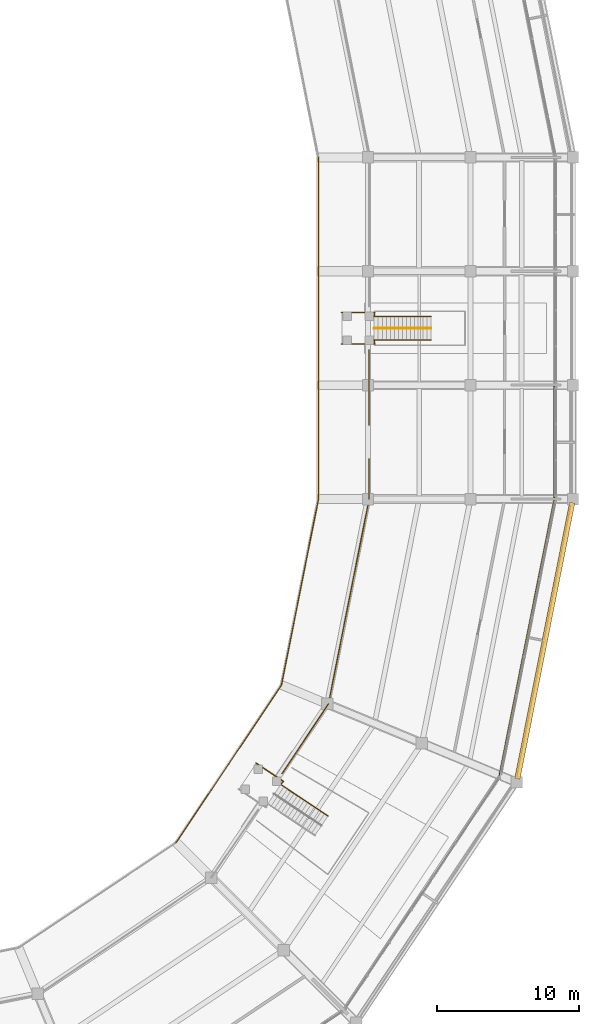
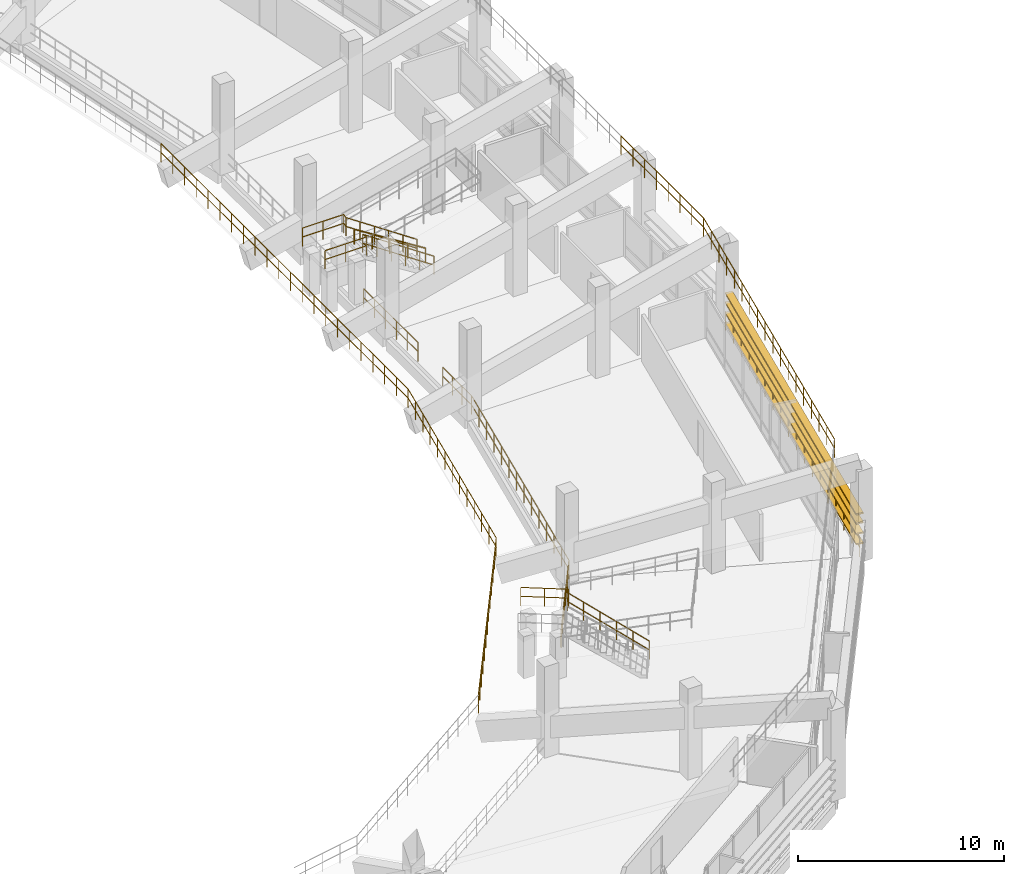
# One storey, part 90 of 96: 16 railings, 4 shading devices.
"""IFC4 building model written with IfcOpenShell, lengths in metres."""

from ifc_helpers import new_model, si_unit, direction, frame, origin, origin_2d, place, context, subcontext, project, spatial, rectangle, circle, extrude, material, layer, layer_set, type_object, element, save


model = new_model("IFC4")

# Units and contexts
model_context = context("Model", 3, precision=1e-05, world=origin(), true_north=direction((0.0, 1.0)))
body_context = subcontext(model_context, "Body", "Model", "MODEL_VIEW")
ifc_project = project(units=[si_unit("LENGTHUNIT", "METRE"), si_unit("AREAUNIT", "SQUARE_METRE"), si_unit("VOLUMEUNIT", "CUBIC_METRE"), si_unit("PLANEANGLEUNIT", "RADIAN"), si_unit("MASSUNIT", "GRAM", prefix="KILO")], contexts=[model_context])

# Site, building, storey
site_placement = place(None, origin())
site = spatial("IfcSite", under=ifc_project, at=site_placement, CompositionType="ELEMENT")
building_placement = place(site_placement, origin())
building = spatial("IfcBuilding", under=site, at=building_placement, Name="Candeia Ridge Stadium", CompositionType="ELEMENT")
storey_placement = place(building_placement, frame((0.0, 0.0, 21.60009765625)))
storey = spatial("IfcBuildingStorey", under=building, at=storey_placement, Name="L04", CompositionType="ELEMENT", Elevation=21.60009765625)

# Railings
ifc_material_1 = material(Name="Galvanized Powder-Coated Steel", Category="steel")
ifc_layer_1 = layer(ifc_material_1, 0.074951171875, Name="Galvanized Powder-Coated Steel", Category="steel")
ifc_layer_set_1 = layer_set([ifc_layer_1], Name="Galvanized Powder-Coated Steel")
railing_type_1 = type_object("IfcRailingType", Name="Spectator Bowl Front Guardrail 1120", PredefinedType="GUARDRAIL", material=ifc_layer_set_1)
railing_1_placement = place(storey_placement, frame((165.12646484375, 46.87353515625, 1.64990234375)))
element("IfcRailing", 1, at=railing_1_placement, inside=storey, type_object=railing_type_1, Name="Stand T3 front safety guardrail bay 28", PredefinedType="GUARDRAIL", context=body_context, shape_type="SweptSolid", body=[
    extrude(circle(Radius=0.02392578125, at=origin_2d()), frame((0.0, 0.0, 1.09619140625), z_axis=(0.555567450865, 0.831471471272, 0.0), x_axis=(-0.831471471272, 0.555567450865, 0.0)), (0.0, 0.0, 1.0), 13.31298828125),
    extrude(circle(Radius=0.02392578125, at=origin_2d()), frame((0.0, 0.0, 0.56005859375), z_axis=(0.555567450865, 0.831471471272, 0.0), x_axis=(-0.831471471272, 0.555567450865, 0.0)), (0.0, 0.0, 1.0), 13.31298828125),
    extrude(circle(Radius=0.02099609375, at=origin_2d()), origin(), (0.0, 0.0, 1.0), 1.072021484375),
    extrude(circle(Radius=0.02099609375, at=origin_2d()), frame((0.616455078125, 0.92236328125, 0.0)), (0.0, 0.0, 1.0), 1.072021484375),
    extrude(circle(Radius=0.02099609375, at=origin_2d()), frame((1.232666015625, 1.844970703125, 0.0)), (0.0, 0.0, 1.0), 1.072021484375),
    extrude(circle(Radius=0.02099609375, at=origin_2d()), frame((1.84912109375, 2.767333984375, 0.0)), (0.0, 0.0, 1.0), 1.072021484375),
    extrude(circle(Radius=0.02099609375, at=origin_2d()), frame((2.46533203125, 3.689697265625, 0.0)), (0.0, 0.0, 1.0), 1.072021484375),
    extrude(circle(Radius=0.02099609375, at=origin_2d()), frame((3.081787109375, 4.6123046875, 0.0)), (0.0, 0.0, 1.0), 1.072021484375),
    extrude(circle(Radius=0.02099609375, at=origin_2d()), frame((3.6982421875, 5.53466796875, 0.0)), (0.0, 0.0, 1.0), 1.072021484375),
    extrude(circle(Radius=0.02099609375, at=origin_2d()), frame((4.314453125, 6.45703125, 0.0)), (0.0, 0.0, 1.0), 1.072021484375),
    extrude(circle(Radius=0.02099609375, at=origin_2d()), frame((4.930908203125, 7.379638671875, 0.0)), (0.0, 0.0, 1.0), 1.072021484375),
    extrude(circle(Radius=0.02099609375, at=origin_2d()), frame((5.547119140625, 8.302001953125, 0.0)), (0.0, 0.0, 1.0), 1.072021484375),
    extrude(circle(Radius=0.02099609375, at=origin_2d()), frame((6.16357421875, 9.224365234375, 0.0)), (0.0, 0.0, 1.0), 1.072021484375),
    extrude(circle(Radius=0.02099609375, at=origin_2d()), frame((6.77978515625, 10.14697265625, 0.0)), (0.0, 0.0, 1.0), 1.072021484375),
    extrude(circle(Radius=0.02099609375, at=origin_2d()), frame((7.396240234375, 11.0693359375, 0.0)), (0.0, 0.0, 1.0), 1.072021484375),
])
railing_2_placement = place(storey_placement, frame((172.522705078125, 57.94287109375, 1.64990234375)))
element("IfcRailing", 2, at=railing_2_placement, inside=storey, type_object=railing_type_1, Name="Stand T3 front safety guardrail bay 29", PredefinedType="GUARDRAIL", context=body_context, shape_type="SweptSolid", body=[
    extrude(circle(Radius=0.02392578125, at=origin_2d()), frame((0.0, 0.0, 1.09619140625), z_axis=(0.195103883511, 0.980782582757, 0.0), x_axis=(-0.980782582757, 0.195103883511, 0.0)), (0.0, 0.0, 1.0), 13.31298828125),
    extrude(circle(Radius=0.02392578125, at=origin_2d()), frame((0.0, 0.0, 0.56005859375), z_axis=(0.195103883511, 0.980782582757, 0.0), x_axis=(-0.980782582757, 0.195103883511, 0.0)), (0.0, 0.0, 1.0), 13.31298828125),
    extrude(circle(Radius=0.02099609375, at=origin_2d()), origin(), (0.0, 0.0, 1.0), 1.072021484375),
    extrude(circle(Radius=0.02099609375, at=origin_2d()), frame((0.216552734375, 1.088134765625, 0.0)), (0.0, 0.0, 1.0), 1.072021484375),
    extrude(circle(Radius=0.02099609375, at=origin_2d()), frame((0.432861328125, 2.17626953125, 0.0)), (0.0, 0.0, 1.0), 1.072021484375),
    extrude(circle(Radius=0.02099609375, at=origin_2d()), frame((0.6494140625, 3.26416015625, 0.0)), (0.0, 0.0, 1.0), 1.072021484375),
    extrude(circle(Radius=0.02099609375, at=origin_2d()), frame((0.86572265625, 4.352294921875, 0.0)), (0.0, 0.0, 1.0), 1.072021484375),
    extrude(circle(Radius=0.02099609375, at=origin_2d()), frame((1.082275390625, 5.4404296875, 0.0)), (0.0, 0.0, 1.0), 1.072021484375),
    extrude(circle(Radius=0.02099609375, at=origin_2d()), frame((1.298828125, 6.528564453125, 0.0)), (0.0, 0.0, 1.0), 1.072021484375),
    extrude(circle(Radius=0.02099609375, at=origin_2d()), frame((1.51513671875, 7.61669921875, 0.0)), (0.0, 0.0, 1.0), 1.072021484375),
    extrude(circle(Radius=0.02099609375, at=origin_2d()), frame((1.731689453125, 8.704833984375, 0.0)), (0.0, 0.0, 1.0), 1.072021484375),
    extrude(circle(Radius=0.02099609375, at=origin_2d()), frame((1.947998046875, 9.79296875, 0.0)), (0.0, 0.0, 1.0), 1.072021484375),
    extrude(circle(Radius=0.02099609375, at=origin_2d()), frame((2.16455078125, 10.880859375, 0.0)), (0.0, 0.0, 1.0), 1.072021484375),
    extrude(circle(Radius=0.02099609375, at=origin_2d()), frame((2.380859375, 11.968994140625, 0.0)), (0.0, 0.0, 1.0), 1.072021484375),
    extrude(circle(Radius=0.02099609375, at=origin_2d()), frame((2.597412109375, 13.05712890625, 0.0)), (0.0, 0.0, 1.0), 1.072021484375),
])
railing_3_placement = place(storey_placement, frame((187.822265625, 51.605712890625, 6.0)))
element("IfcRailing", 3, at=railing_3_placement, inside=storey, type_object=railing_type_1, Name="Stand T3 rear safety guardrail bay 29", PredefinedType="GUARDRAIL", context=body_context, shape_type="SweptSolid", body=[
    extrude(circle(Radius=0.02392578125, at=origin_2d()), frame((0.0, 0.0, 1.09619140625), z_axis=(0.195085576731, 0.980786224287, 0.0), x_axis=(-0.980786224287, 0.195085576731, 0.0)), (0.0, 0.0, 1.0), 19.774169921875),
    extrude(circle(Radius=0.02392578125, at=origin_2d()), frame((0.0, 0.0, 0.56005859375), z_axis=(0.195085576731, 0.980786224287, 0.0), x_axis=(-0.980786224287, 0.195085576731, 0.0)), (0.0, 0.0, 1.0), 19.774169921875),
    extrude(circle(Radius=0.02099609375, at=origin_2d()), origin(), (0.0, 0.0, 1.0), 1.072021484375),
    extrude(circle(Radius=0.02099609375, at=origin_2d()), frame((0.226806640625, 1.140869140625, 0.0)), (0.0, 0.0, 1.0), 1.072021484375),
    extrude(circle(Radius=0.02099609375, at=origin_2d()), frame((0.453857421875, 2.28173828125, 0.0)), (0.0, 0.0, 1.0), 1.072021484375),
    extrude(circle(Radius=0.02099609375, at=origin_2d()), frame((0.6806640625, 3.422607421875, 0.0)), (0.0, 0.0, 1.0), 1.072021484375),
    extrude(circle(Radius=0.02099609375, at=origin_2d()), frame((0.90771484375, 4.5634765625, 0.0)), (0.0, 0.0, 1.0), 1.072021484375),
    extrude(circle(Radius=0.02099609375, at=origin_2d()), frame((1.134521484375, 5.7041015625, 0.0)), (0.0, 0.0, 1.0), 1.072021484375),
    extrude(circle(Radius=0.02099609375, at=origin_2d()), frame((1.361572265625, 6.844970703125, 0.0)), (0.0, 0.0, 1.0), 1.072021484375),
    extrude(circle(Radius=0.02099609375, at=origin_2d()), frame((1.58837890625, 7.98583984375, 0.0)), (0.0, 0.0, 1.0), 1.072021484375),
    extrude(circle(Radius=0.02099609375, at=origin_2d()), frame((1.8154296875, 9.126708984375, 0.0)), (0.0, 0.0, 1.0), 1.072021484375),
    extrude(circle(Radius=0.02099609375, at=origin_2d()), frame((2.042236328125, 10.267578125, 0.0)), (0.0, 0.0, 1.0), 1.072021484375),
    extrude(circle(Radius=0.02099609375, at=origin_2d()), frame((2.269287109375, 11.408447265625, 0.0)), (0.0, 0.0, 1.0), 1.072021484375),
    extrude(circle(Radius=0.02099609375, at=origin_2d()), frame((2.49609375, 12.54931640625, 0.0)), (0.0, 0.0, 1.0), 1.072021484375),
    extrude(circle(Radius=0.02099609375, at=origin_2d()), frame((2.72314453125, 13.690185546875, 0.0)), (0.0, 0.0, 1.0), 1.072021484375),
    extrude(circle(Radius=0.02099609375, at=origin_2d()), frame((2.949951171875, 14.830810546875, 0.0)), (0.0, 0.0, 1.0), 1.072021484375),
    extrude(circle(Radius=0.02099609375, at=origin_2d()), frame((3.177001953125, 15.9716796875, 0.0)), (0.0, 0.0, 1.0), 1.072021484375),
    extrude(circle(Radius=0.02099609375, at=origin_2d()), frame((3.40380859375, 17.112548828125, 0.0)), (0.0, 0.0, 1.0), 1.072021484375),
    extrude(circle(Radius=0.02099609375, at=origin_2d()), frame((3.630859375, 18.25341796875, 0.0)), (0.0, 0.0, 1.0), 1.072021484375),
    extrude(circle(Radius=0.02099609375, at=origin_2d()), frame((3.857666015625, 19.394287109375, 0.0)), (0.0, 0.0, 1.0), 1.072021484375),
])
for number, where, name in (
    (4, (175.1201171875, 71.0, 1.64990234375), "Stand T3 front safety guardrail bay 30"),
    (5, (191.679931640625, 71.0, 6.0), "Stand T3 rear safety guardrail bay 30"),
    (6, (175.1201171875, 79.0, 1.64990234375), "Stand T3 front safety guardrail bay 31"),
    (7, (175.1201171875, 87.0, 1.64990234375), "Stand T3 front safety guardrail bay 32"),
):
    element("IfcRailing", number, at=place(storey_placement, frame(where)), inside=storey, type_object=railing_type_1, Name=name, PredefinedType="GUARDRAIL", context=body_context, shape_type="SweptSolid", body=[
        extrude(circle(Radius=0.02392578125, at=origin_2d()), frame((0.0, 0.0, 1.09619140625), z_axis=(0.0, 1.0, 0.0), x_axis=(-1.0, 0.0, 0.0)), (0.0, 0.0, 1.0), 8.0),
        extrude(circle(Radius=0.02392578125, at=origin_2d()), frame((0.0, 0.0, 0.56005859375), z_axis=(0.0, 1.0, 0.0), x_axis=(-1.0, 0.0, 0.0)), (0.0, 0.0, 1.0), 8.0),
        extrude(circle(Radius=0.02099609375, at=origin_2d()), origin(), (0.0, 0.0, 1.0), 1.072021484375),
        extrude(circle(Radius=0.02099609375, at=origin_2d()), frame((0.0, 1.142822265625, 0.0)), (0.0, 0.0, 1.0), 1.072021484375),
        extrude(circle(Radius=0.02099609375, at=origin_2d()), frame((0.0, 2.28564453125, 0.0)), (0.0, 0.0, 1.0), 1.072021484375),
        extrude(circle(Radius=0.02099609375, at=origin_2d()), frame((0.0, 3.428466796875, 0.0)), (0.0, 0.0, 1.0), 1.072021484375),
        extrude(circle(Radius=0.02099609375, at=origin_2d()), frame((0.0, 4.571533203125, 0.0)), (0.0, 0.0, 1.0), 1.072021484375),
        extrude(circle(Radius=0.02099609375, at=origin_2d()), frame((0.0, 5.71435546875, 0.0)), (0.0, 0.0, 1.0), 1.072021484375),
        extrude(circle(Radius=0.02099609375, at=origin_2d()), frame((0.0, 6.857177734375, 0.0)), (0.0, 0.0, 1.0), 1.072021484375),
        extrude(circle(Radius=0.02099609375, at=origin_2d()), frame((0.0, 8.0, 0.0)), (0.0, 0.0, 1.0), 1.072021484375),
    ])
railing_4_placement = place(storey_placement, frame((192.92138671875, 71.015625, 0.0)))
element("IfcRailing", 8, at=railing_4_placement, inside=storey, type_object=railing_type_1, Name="Deck edge safety guardrail GR-DE-L04-0199", PredefinedType="GUARDRAIL", context=body_context, shape_type="SweptSolid", body=[
    extrude(circle(Radius=0.02392578125, at=origin_2d()), frame((0.0, 0.0, 1.09619140625), z_axis=(-0.194794964545, -0.980843984428, 0.0), x_axis=(0.980843984428, -0.194794964545, 0.0)), (0.0, 0.0, 1.0), 20.2587890625),
    extrude(circle(Radius=0.02392578125, at=origin_2d()), frame((0.0, 0.0, 0.56005859375), z_axis=(-0.194794964545, -0.980843984428, 0.0), x_axis=(0.980843984428, -0.194794964545, 0.0)), (0.0, 0.0, 1.0), 20.2587890625),
    extrude(circle(Radius=0.02099609375, at=origin_2d()), origin(), (0.0, 0.0, 1.0), 1.072021484375),
    extrude(circle(Radius=0.02099609375, at=origin_2d()), frame((-0.232177734375, -1.1689453125, 0.0)), (0.0, 0.0, 1.0), 1.072021484375),
    extrude(circle(Radius=0.02099609375, at=origin_2d()), frame((-0.46435546875, -2.337646484375, 0.0)), (0.0, 0.0, 1.0), 1.072021484375),
    extrude(circle(Radius=0.02099609375, at=origin_2d()), frame((-0.6962890625, -3.506591796875, 0.0)), (0.0, 0.0, 1.0), 1.072021484375),
    extrude(circle(Radius=0.02099609375, at=origin_2d()), frame((-0.928466796875, -4.675537109375, 0.0)), (0.0, 0.0, 1.0), 1.072021484375),
    extrude(circle(Radius=0.02099609375, at=origin_2d()), frame((-1.16064453125, -5.84423828125, 0.0)), (0.0, 0.0, 1.0), 1.072021484375),
    extrude(circle(Radius=0.02099609375, at=origin_2d()), frame((-1.392822265625, -7.01318359375, 0.0)), (0.0, 0.0, 1.0), 1.072021484375),
    extrude(circle(Radius=0.02099609375, at=origin_2d()), frame((-1.625, -8.18212890625, 0.0)), (0.0, 0.0, 1.0), 1.072021484375),
    extrude(circle(Radius=0.02099609375, at=origin_2d()), frame((-1.857177734375, -9.350830078125, 0.0)), (0.0, 0.0, 1.0), 1.072021484375),
    extrude(circle(Radius=0.02099609375, at=origin_2d()), frame((-2.089111328125, -10.519775390625, 0.0)), (0.0, 0.0, 1.0), 1.072021484375),
    extrude(circle(Radius=0.02099609375, at=origin_2d()), frame((-2.3212890625, -11.6884765625, 0.0)), (0.0, 0.0, 1.0), 1.072021484375),
    extrude(circle(Radius=0.02099609375, at=origin_2d()), frame((-2.553466796875, -12.857421875, 0.0)), (0.0, 0.0, 1.0), 1.072021484375),
    extrude(circle(Radius=0.02099609375, at=origin_2d()), frame((-2.78564453125, -14.0263671875, 0.0)), (0.0, 0.0, 1.0), 1.072021484375),
    extrude(circle(Radius=0.02099609375, at=origin_2d()), frame((-3.017822265625, -15.195068359375, 0.0)), (0.0, 0.0, 1.0), 1.072021484375),
    extrude(circle(Radius=0.02099609375, at=origin_2d()), frame((-3.25, -16.364013671875, 0.0)), (0.0, 0.0, 1.0), 1.072021484375),
    extrude(circle(Radius=0.02099609375, at=origin_2d()), frame((-3.48193359375, -17.532958984375, 0.0)), (0.0, 0.0, 1.0), 1.072021484375),
    extrude(circle(Radius=0.02099609375, at=origin_2d()), frame((-3.714111328125, -18.70166015625, 0.0)), (0.0, 0.0, 1.0), 1.072021484375),
    extrude(circle(Radius=0.02099609375, at=origin_2d()), frame((-3.9462890625, -19.87060546875, 0.0)), (0.0, 0.0, 1.0), 1.072021484375),
])
railing_5_placement = place(storey_placement, frame((172.573486328125, 51.731201171875, 0.0)))
element("IfcRailing", 9, at=railing_5_placement, inside=storey, type_object=railing_type_1, Name="Deck edge safety guardrail GR-DE-L04-0219", PredefinedType="GUARDRAIL", context=body_context, shape_type="SweptSolid", body=[
    extrude(circle(Radius=0.02392578125, at=origin_2d()), frame((0.0, 0.0, 1.09619140625), z_axis=(0.554709833315, 0.832043869531, 0.0), x_axis=(-0.832043869531, 0.554709833315, 0.0)), (0.0, 0.0, 1.0), 5.84619140625),
    extrude(circle(Radius=0.02392578125, at=origin_2d()), frame((0.0, 0.0, 0.56005859375), z_axis=(0.554709833315, 0.832043869531, 0.0), x_axis=(-0.832043869531, 0.554709833315, 0.0)), (0.0, 0.0, 1.0), 5.84619140625),
    extrude(circle(Radius=0.02099609375, at=origin_2d()), origin(), (0.0, 0.0, 1.0), 1.072021484375),
    extrude(circle(Radius=0.02099609375, at=origin_2d()), frame((0.648681640625, 0.972900390625, 0.0)), (0.0, 0.0, 1.0), 1.072021484375),
    extrude(circle(Radius=0.02099609375, at=origin_2d()), frame((1.297119140625, 1.94580078125, 0.0)), (0.0, 0.0, 1.0), 1.072021484375),
    extrude(circle(Radius=0.02099609375, at=origin_2d()), frame((1.94580078125, 2.91845703125, 0.0)), (0.0, 0.0, 1.0), 1.072021484375),
    extrude(circle(Radius=0.02099609375, at=origin_2d()), frame((2.59423828125, 3.891357421875, 0.0)), (0.0, 0.0, 1.0), 1.072021484375),
    extrude(circle(Radius=0.02099609375, at=origin_2d()), frame((3.242919921875, 4.8642578125, 0.0)), (0.0, 0.0, 1.0), 1.072021484375),
])
railing_6_placement = place(storey_placement, frame((175.81640625, 56.595458984375, 0.0)))
element("IfcRailing", 10, at=railing_6_placement, inside=storey, type_object=railing_type_1, Name="Deck edge safety guardrail GR-DE-L04-0220", PredefinedType="GUARDRAIL", context=body_context, shape_type="SweptSolid", body=[
    extrude(circle(Radius=0.02392578125, at=origin_2d()), frame((0.0, 0.0, 1.09619140625), z_axis=(0.194977927437, 0.98080763038, 0.0), x_axis=(-0.98080763038, 0.194977927437, 0.0)), (0.0, 0.0, 1.0), 14.6865234375),
    extrude(circle(Radius=0.02392578125, at=origin_2d()), frame((0.0, 0.0, 0.56005859375), z_axis=(0.194977927437, 0.98080763038, 0.0), x_axis=(-0.98080763038, 0.194977927437, 0.0)), (0.0, 0.0, 1.0), 14.6865234375),
    extrude(circle(Radius=0.02099609375, at=origin_2d()), origin(), (0.0, 0.0, 1.0), 1.072021484375),
    extrude(circle(Radius=0.02099609375, at=origin_2d()), frame((0.22021484375, 1.108154296875, 0.0)), (0.0, 0.0, 1.0), 1.072021484375),
    extrude(circle(Radius=0.02099609375, at=origin_2d()), frame((0.4404296875, 2.216064453125, 0.0)), (0.0, 0.0, 1.0), 1.072021484375),
    extrude(circle(Radius=0.02099609375, at=origin_2d()), frame((0.660888671875, 3.32421875, 0.0)), (0.0, 0.0, 1.0), 1.072021484375),
    extrude(circle(Radius=0.02099609375, at=origin_2d()), frame((0.881103515625, 4.43212890625, 0.0)), (0.0, 0.0, 1.0), 1.072021484375),
    extrude(circle(Radius=0.02099609375, at=origin_2d()), frame((1.101318359375, 5.540283203125, 0.0)), (0.0, 0.0, 1.0), 1.072021484375),
    extrude(circle(Radius=0.02099609375, at=origin_2d()), frame((1.321533203125, 6.648193359375, 0.0)), (0.0, 0.0, 1.0), 1.072021484375),
    extrude(circle(Radius=0.02099609375, at=origin_2d()), frame((1.5419921875, 7.75634765625, 0.0)), (0.0, 0.0, 1.0), 1.072021484375),
    extrude(circle(Radius=0.02099609375, at=origin_2d()), frame((1.76220703125, 8.8642578125, 0.0)), (0.0, 0.0, 1.0), 1.072021484375),
    extrude(circle(Radius=0.02099609375, at=origin_2d()), frame((1.982421875, 9.972412109375, 0.0)), (0.0, 0.0, 1.0), 1.072021484375),
    extrude(circle(Radius=0.02099609375, at=origin_2d()), frame((2.20263671875, 11.080322265625, 0.0)), (0.0, 0.0, 1.0), 1.072021484375),
    extrude(circle(Radius=0.02099609375, at=origin_2d()), frame((2.423095703125, 12.1884765625, 0.0)), (0.0, 0.0, 1.0), 1.072021484375),
    extrude(circle(Radius=0.02099609375, at=origin_2d()), frame((2.643310546875, 13.29638671875, 0.0)), (0.0, 0.0, 1.0), 1.072021484375),
    extrude(circle(Radius=0.02099609375, at=origin_2d()), frame((2.863525390625, 14.404541015625, 0.0)), (0.0, 0.0, 1.0), 1.072021484375),
])
railing_7_placement = place(storey_placement, frame((178.679931640625, 71.0, 0.0)))
element("IfcRailing", 11, at=railing_7_placement, inside=storey, type_object=railing_type_1, Name="Deck edge safety guardrail GR-DE-L04-0221", PredefinedType="GUARDRAIL", context=body_context, shape_type="SweptSolid", body=[
    extrude(circle(Radius=0.02392578125, at=origin_2d()), frame((0.0, 0.0, 1.09619140625), z_axis=(0.0, 1.0, 0.0), x_axis=(-1.0, 0.0, 0.0)), (0.0, 0.0, 1.0), 2.800048828125),
    extrude(circle(Radius=0.02392578125, at=origin_2d()), frame((0.0, 0.0, 0.56005859375), z_axis=(0.0, 1.0, 0.0), x_axis=(-1.0, 0.0, 0.0)), (0.0, 0.0, 1.0), 2.800048828125),
    extrude(circle(Radius=0.02099609375, at=origin_2d()), origin(), (0.0, 0.0, 1.0), 1.072021484375),
    extrude(circle(Radius=0.02099609375, at=origin_2d()), frame((0.0, 0.933349609375, 0.0)), (0.0, 0.0, 1.0), 1.072021484375),
    extrude(circle(Radius=0.02099609375, at=origin_2d()), frame((0.0, 1.86669921875, 0.0)), (0.0, 0.0, 1.0), 1.072021484375),
    extrude(circle(Radius=0.02099609375, at=origin_2d()), frame((0.0, 2.800048828125, 0.0)), (0.0, 0.0, 1.0), 1.072021484375),
])
railing_8_placement = place(storey_placement, frame((178.679931640625, 76.199951171875, 0.0)))
element("IfcRailing", 12, at=railing_8_placement, inside=storey, type_object=railing_type_1, Name="Deck edge safety guardrail GR-DE-L04-0222", PredefinedType="GUARDRAIL", context=body_context, shape_type="SweptSolid", body=[
    extrude(circle(Radius=0.02392578125, at=origin_2d()), frame((0.0, 0.0, 1.09619140625), z_axis=(0.0, 1.0, 0.0), x_axis=(-1.0, 0.0, 0.0)), (0.0, 0.0, 1.0), 5.280029296875),
    extrude(circle(Radius=0.02392578125, at=origin_2d()), frame((0.0, 0.0, 0.56005859375), z_axis=(0.0, 1.0, 0.0), x_axis=(-1.0, 0.0, 0.0)), (0.0, 0.0, 1.0), 5.280029296875),
    extrude(circle(Radius=0.02099609375, at=origin_2d()), origin(), (0.0, 0.0, 1.0), 1.072021484375),
    extrude(circle(Radius=0.02099609375, at=origin_2d()), frame((0.0, 1.055908203125, 0.0)), (0.0, 0.0, 1.0), 1.072021484375),
    extrude(circle(Radius=0.02099609375, at=origin_2d()), frame((0.0, 2.112060546875, 0.0)), (0.0, 0.0, 1.0), 1.072021484375),
    extrude(circle(Radius=0.02099609375, at=origin_2d()), frame((0.0, 3.16796875, 0.0)), (0.0, 0.0, 1.0), 1.072021484375),
    extrude(circle(Radius=0.02099609375, at=origin_2d()), frame((0.0, 4.22412109375, 0.0)), (0.0, 0.0, 1.0), 1.072021484375),
    extrude(circle(Radius=0.02099609375, at=origin_2d()), frame((0.0, 5.280029296875, 0.0)), (0.0, 0.0, 1.0), 1.072021484375),
])
ifc_material_2 = material(Name="Brushed Stainless Steel", Category="steel")
ifc_layer_2 = layer(ifc_material_2, 0.048095703125, Name="Brushed Stainless Steel", Category="steel")
ifc_layer_set_2 = layer_set([ifc_layer_2], Name="Brushed Stainless Steel")
railing_type_2 = type_object("IfcRailingType", Name="Stair Wall & Flight Handrail 900", PredefinedType="HANDRAIL", material=ifc_layer_set_2)
railing_9_placement = place(storey_placement, frame((183.02197265625, 83.0, 0.179443359375)))
element("IfcRailing", 13, at=railing_9_placement, inside=storey, type_object=railing_type_2, Name="Vomitory stair handrail VS35", PredefinedType="HANDRAIL", context=body_context, shape_type="SweptSolid", body=[
    extrude(circle(Radius=0.02392578125, at=origin_2d()), frame((0.0, 0.0, 0.8759765625), z_axis=(-0.846023572205, 0.0, 0.533145491656), x_axis=(0.0, -1.0, 0.0)), (0.0, 0.0, 1.0), 4.716064453125),
    extrude(circle(Radius=0.02099609375, at=origin_2d()), origin(), (0.0, 0.0, 1.0), 0.851806640625),
    extrude(circle(Radius=0.02099609375, at=origin_2d()), frame((-0.99755859375, 0.0, 0.628662109375)), (0.0, 0.0, 1.0), 0.851806640625),
    extrude(circle(Radius=0.02099609375, at=origin_2d()), frame((-1.9951171875, 0.0, 1.25732421875)), (0.0, 0.0, 1.0), 0.851806640625),
    extrude(circle(Radius=0.02099609375, at=origin_2d()), frame((-2.992431640625, 0.0, 1.8857421875)), (0.0, 0.0, 1.0), 0.851806640625),
    extrude(circle(Radius=0.02099609375, at=origin_2d()), frame((-3.989990234375, 0.0, 2.514404296875)), (0.0, 0.0, 1.0), 0.851806640625),
])
ifc_layer_3 = layer(ifc_material_1, 0.070068359375, Name="Galvanized Powder-Coated Steel", Category="steel")
ifc_layer_set_3 = layer_set([ifc_layer_3], Name="Galvanized Powder-Coated Steel")
railing_type_3 = type_object("IfcRailingType", Name="Vomitory Portal Guardrail 1100", PredefinedType="GUARDRAIL", material=ifc_layer_set_3)
railing_10_placement = place(storey_placement, frame((175.7880859375, 48.74169921875, 0.0)))
element("IfcRailing", 14, at=railing_10_placement, inside=storey, type_object=railing_type_3, Name="Vomitory stair & landing side guardrail VS34-R", PredefinedType="GUARDRAIL", context=body_context, shape_type="SweptSolid", body=[
    extrude(circle(Radius=0.02392578125, at=origin_2d()), frame((0.0, 0.0, 1.076171875), z_axis=(-0.689116787819, 0.46045922683, 0.559549241062), x_axis=(-0.555575329819, -0.831466206708, 0.0)), (0.0, 0.0, 1.0), 4.814208984375),
    extrude(circle(Radius=0.02392578125, at=origin_2d()), frame((0.0, 0.0, 0.550048828125), z_axis=(-0.689116787819, 0.46045922683, 0.559549241062), x_axis=(-0.555575329819, -0.831466206708, 0.0)), (0.0, 0.0, 1.0), 4.814208984375),
    extrude(circle(Radius=0.02392578125, at=origin_2d()), frame((-3.317626953125, 2.216796875, 3.77001953125), z_axis=(0.667627565471, 0.744495422298, 0.0), x_axis=(-0.744495422298, 0.667627565471, 0.0)), (0.0, 0.0, 1.0), 0.28271484375),
    extrude(circle(Radius=0.02392578125, at=origin_2d()), frame((-3.317626953125, 2.216796875, 3.243896484375), z_axis=(0.667627565471, 0.744495422298, 0.0), x_axis=(-0.744495422298, 0.667627565471, 0.0)), (0.0, 0.0, 1.0), 0.28271484375),
    extrude(circle(Radius=0.02392578125, at=origin_2d()), frame((-3.12890625, 2.42724609375, 3.77001953125), z_axis=(-0.831434582705, 0.55562265494, 0.0), x_axis=(-0.55562265494, -0.831434582705, 0.0)), (0.0, 0.0, 1.0), 2.320068359375),
    extrude(circle(Radius=0.02392578125, at=origin_2d()), frame((-3.12890625, 2.42724609375, 3.243896484375), z_axis=(-0.831434582705, 0.55562265494, 0.0), x_axis=(-0.55562265494, -0.831434582705, 0.0)), (0.0, 0.0, 1.0), 2.320068359375),
    extrude(circle(Radius=0.02099609375, at=origin_2d()), origin(), (0.0, 0.0, 1.0), 1.052001953125),
    extrude(circle(Radius=0.02099609375, at=origin_2d()), frame((-0.66357421875, 0.443359375, 0.538818359375)), (0.0, 0.0, 1.0), 1.052001953125),
    extrude(circle(Radius=0.02099609375, at=origin_2d()), frame((-1.3271484375, 0.88671875, 1.07763671875)), (0.0, 0.0, 1.0), 1.052001953125),
    extrude(circle(Radius=0.02099609375, at=origin_2d()), frame((-1.990478515625, 1.330078125, 1.6162109375)), (0.0, 0.0, 1.0), 1.052001953125),
    extrude(circle(Radius=0.02099609375, at=origin_2d()), frame((-2.654052734375, 1.7734375, 2.155029296875)), (0.0, 0.0, 1.0), 1.052001953125),
    extrude(circle(Radius=0.02099609375, at=origin_2d()), frame((-3.317626953125, 2.216796875, 2.69384765625)), (0.0, 0.0, 1.0), 1.052001953125),
    extrude(circle(Radius=0.02099609375, at=origin_2d()), frame((-3.12890625, 2.42724609375, 2.69384765625)), (0.0, 0.0, 1.0), 1.052001953125),
    extrude(circle(Radius=0.02099609375, at=origin_2d()), frame((-4.09326171875, 3.07177734375, 2.69384765625)), (0.0, 0.0, 1.0), 1.052001953125),
    extrude(circle(Radius=0.02099609375, at=origin_2d()), frame((-5.057861328125, 3.71630859375, 2.69384765625)), (0.0, 0.0, 1.0), 1.052001953125),
])
railing_11_placement = place(storey_placement, frame((183.02197265625, 82.179931640625, 0.0)))
element("IfcRailing", 15, at=railing_11_placement, inside=storey, type_object=railing_type_3, Name="Vomitory stair & landing side guardrail VS35-L", PredefinedType="GUARDRAIL", context=body_context, shape_type="SweptSolid", body=[
    extrude(circle(Radius=0.02392578125, at=origin_2d()), frame((0.0, 0.0, 1.076171875), z_axis=(-0.828790466984, 0.0, 0.559559078058), x_axis=(0.0, -1.0, 0.0)), (0.0, 0.0, 1.0), 4.814208984375),
    extrude(circle(Radius=0.02392578125, at=origin_2d()), frame((0.0, 0.0, 0.550048828125), z_axis=(-0.828790466984, 0.0, 0.559559078058), x_axis=(0.0, -1.0, 0.0)), (0.0, 0.0, 1.0), 4.814208984375),
    extrude(circle(Radius=0.02392578125, at=origin_2d()), frame((-3.989990234375, 0.0, 3.77001953125), z_axis=(0.141542183877, -0.989932225045, 0.0), x_axis=(0.989932225045, 0.141542183877, 0.0)), (0.0, 0.0, 1.0), 0.282958984375),
    extrude(circle(Radius=0.02392578125, at=origin_2d()), frame((-3.989990234375, 0.0, 3.243896484375), z_axis=(0.141542183877, -0.989932225045, 0.0), x_axis=(0.989932225045, 0.141542183877, 0.0)), (0.0, 0.0, 1.0), 0.282958984375),
    extrude(circle(Radius=0.02392578125, at=origin_2d()), frame((-3.949951171875, -0.280029296875, 3.77001953125), z_axis=(-1.0, 0.0, 0.0), x_axis=(0.0, -1.0, 0.0)), (0.0, 0.0, 1.0), 2.320068359375),
    extrude(circle(Radius=0.02392578125, at=origin_2d()), frame((-3.949951171875, -0.280029296875, 3.243896484375), z_axis=(-1.0, 0.0, 0.0), x_axis=(0.0, -1.0, 0.0)), (0.0, 0.0, 1.0), 2.320068359375),
    extrude(circle(Radius=0.02099609375, at=origin_2d()), origin(), (0.0, 0.0, 1.0), 1.052001953125),
    extrude(circle(Radius=0.02099609375, at=origin_2d()), frame((-0.798095703125, 0.0, 0.538818359375)), (0.0, 0.0, 1.0), 1.052001953125),
    extrude(circle(Radius=0.02099609375, at=origin_2d()), frame((-1.595947265625, 0.0, 1.07763671875)), (0.0, 0.0, 1.0), 1.052001953125),
    extrude(circle(Radius=0.02099609375, at=origin_2d()), frame((-2.39404296875, 0.0, 1.6162109375)), (0.0, 0.0, 1.0), 1.052001953125),
    extrude(circle(Radius=0.02099609375, at=origin_2d()), frame((-3.19189453125, 0.0, 2.155029296875)), (0.0, 0.0, 1.0), 1.052001953125),
    extrude(circle(Radius=0.02099609375, at=origin_2d()), frame((-3.989990234375, 0.0, 2.69384765625)), (0.0, 0.0, 1.0), 1.052001953125),
    extrude(circle(Radius=0.02099609375, at=origin_2d()), frame((-3.949951171875, -0.280029296875, 2.69384765625)), (0.0, 0.0, 1.0), 1.052001953125),
    extrude(circle(Radius=0.02099609375, at=origin_2d()), frame((-5.10986328125, -0.280029296875, 2.69384765625)), (0.0, 0.0, 1.0), 1.052001953125),
    extrude(circle(Radius=0.02099609375, at=origin_2d()), frame((-6.27001953125, -0.280029296875, 2.69384765625)), (0.0, 0.0, 1.0), 1.052001953125),
])
railing_12_placement = place(storey_placement, frame((183.02197265625, 83.820068359375, 0.0)))
element("IfcRailing", 16, at=railing_12_placement, inside=storey, type_object=railing_type_3, Name="Vomitory stair & landing side guardrail VS35-R", PredefinedType="GUARDRAIL", context=body_context, shape_type="SweptSolid", body=[
    extrude(circle(Radius=0.02392578125, at=origin_2d()), frame((0.0, 0.0, 1.076171875), z_axis=(-0.828790466984, 0.0, 0.559559078058), x_axis=(0.0, -1.0, 0.0)), (0.0, 0.0, 1.0), 4.814208984375),
    extrude(circle(Radius=0.02392578125, at=origin_2d()), frame((0.0, 0.0, 0.550048828125), z_axis=(-0.828790466984, 0.0, 0.559559078058), x_axis=(0.0, -1.0, 0.0)), (0.0, 0.0, 1.0), 4.814208984375),
    extrude(circle(Radius=0.02392578125, at=origin_2d()), frame((-3.989990234375, 0.0, 3.77001953125), z_axis=(0.141542183877, 0.989932225045, 0.0), x_axis=(-0.989932225045, 0.141542183877, 0.0)), (0.0, 0.0, 1.0), 0.282958984375),
    extrude(circle(Radius=0.02392578125, at=origin_2d()), frame((-3.989990234375, 0.0, 3.243896484375), z_axis=(0.141542183877, 0.989932225045, 0.0), x_axis=(-0.989932225045, 0.141542183877, 0.0)), (0.0, 0.0, 1.0), 0.282958984375),
    extrude(circle(Radius=0.02392578125, at=origin_2d()), frame((-3.949951171875, 0.280029296875, 3.77001953125), z_axis=(-1.0, 0.0, 0.0), x_axis=(0.0, -1.0, 0.0)), (0.0, 0.0, 1.0), 2.320068359375),
    extrude(circle(Radius=0.02392578125, at=origin_2d()), frame((-3.949951171875, 0.280029296875, 3.243896484375), z_axis=(-1.0, 0.0, 0.0), x_axis=(0.0, -1.0, 0.0)), (0.0, 0.0, 1.0), 2.320068359375),
    extrude(circle(Radius=0.02099609375, at=origin_2d()), origin(), (0.0, 0.0, 1.0), 1.052001953125),
    extrude(circle(Radius=0.02099609375, at=origin_2d()), frame((-0.798095703125, 0.0, 0.538818359375)), (0.0, 0.0, 1.0), 1.052001953125),
    extrude(circle(Radius=0.02099609375, at=origin_2d()), frame((-1.595947265625, 0.0, 1.07763671875)), (0.0, 0.0, 1.0), 1.052001953125),
    extrude(circle(Radius=0.02099609375, at=origin_2d()), frame((-2.39404296875, 0.0, 1.6162109375)), (0.0, 0.0, 1.0), 1.052001953125),
    extrude(circle(Radius=0.02099609375, at=origin_2d()), frame((-3.19189453125, 0.0, 2.155029296875)), (0.0, 0.0, 1.0), 1.052001953125),
    extrude(circle(Radius=0.02099609375, at=origin_2d()), frame((-3.989990234375, 0.0, 2.69384765625)), (0.0, 0.0, 1.0), 1.052001953125),
    extrude(circle(Radius=0.02099609375, at=origin_2d()), frame((-3.949951171875, 0.280029296875, 2.69384765625)), (0.0, 0.0, 1.0), 1.052001953125),
    extrude(circle(Radius=0.02099609375, at=origin_2d()), frame((-5.10986328125, 0.280029296875, 2.69384765625)), (0.0, 0.0, 1.0), 1.052001953125),
    extrude(circle(Radius=0.02099609375, at=origin_2d()), frame((-6.27001953125, 0.280029296875, 2.69384765625)), (0.0, 0.0, 1.0), 1.052001953125),
])

# Shading devices
ifc_material_3 = material(Name="Aluminium Anodized Warm Bronze", Category="aluminium")
shading_device_type = type_object("IfcShadingDeviceType", Name="Weathered Bronze Horizontal Solar Rib 380x85", PredefinedType="JALOUSIE", material=ifc_material_3)
for number, where, z_axis, x_axis, name in (
    (17, (191.020751953125, 61.05029296875, 0.5673828125), (0.0, 0.0, 1.0), (0.195090311899, 0.980785282416, 0.0), "Weathered bronze horizontal solar rib L04 bay 29-1"),
    (18, (191.020751953125, 61.05029296875, 1.17724609375), (0.0, 0.0, 1.0), (0.195090311899, 0.980785282416, 0.0), "Weathered bronze horizontal solar rib L04 bay 29-2"),
    (19, (191.020751953125, 61.05029296875, 1.787109375), (0.0, 0.0, 1.0), (0.195090311899, 0.980785282416, 0.0), "Weathered bronze horizontal solar rib L04 bay 29-3"),
    (20, (191.020751953125, 61.05029296875, 2.341552734375), (0.0, 0.0, 1.0), (0.195090311899, 0.980785282416, 0.0), "Weathered bronze horizontal solar rib L04 bay 29-4"),
):
    element("IfcShadingDevice", number, at=place(storey_placement, frame(where, z_axis=z_axis, x_axis=x_axis)), inside=storey, type_object=shading_device_type, Name=name, PredefinedType="JALOUSIE", context=body_context, shape_type="SweptSolid", body=[
        extrude(rectangle(XDim=19.789306640625, YDim=0.3798828125, at=origin_2d()), origin(), (0.0, 0.0, 1.0), 0.0849609375),
    ])

save(model, "model.ifc")
